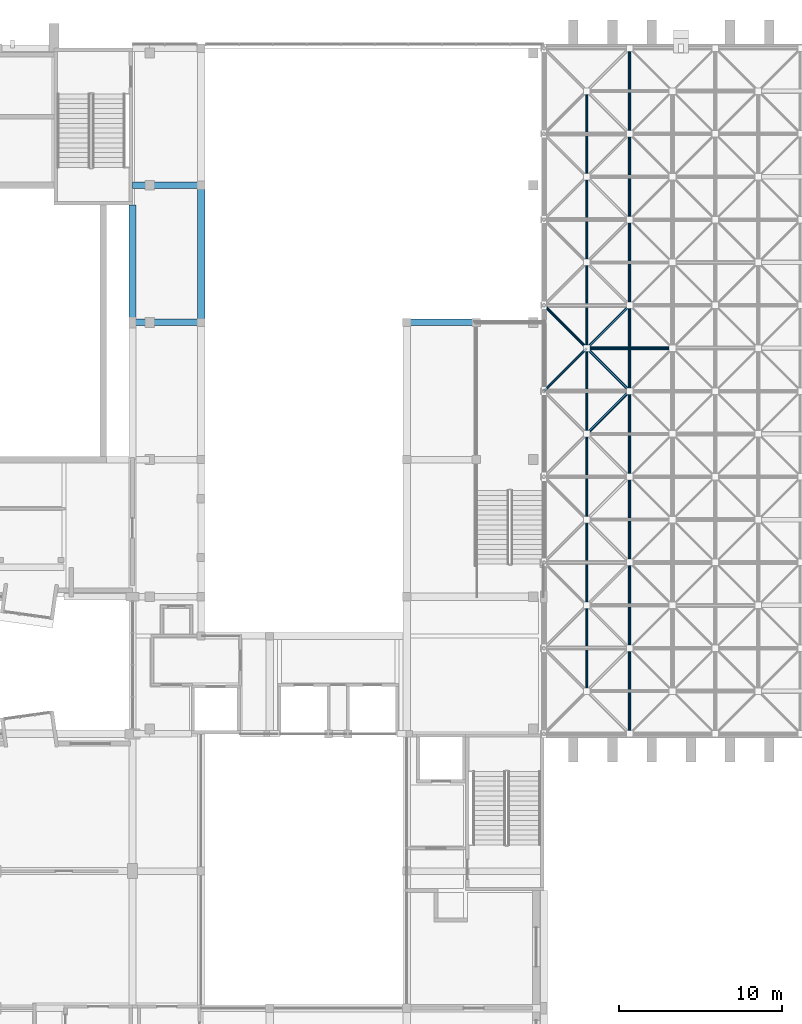
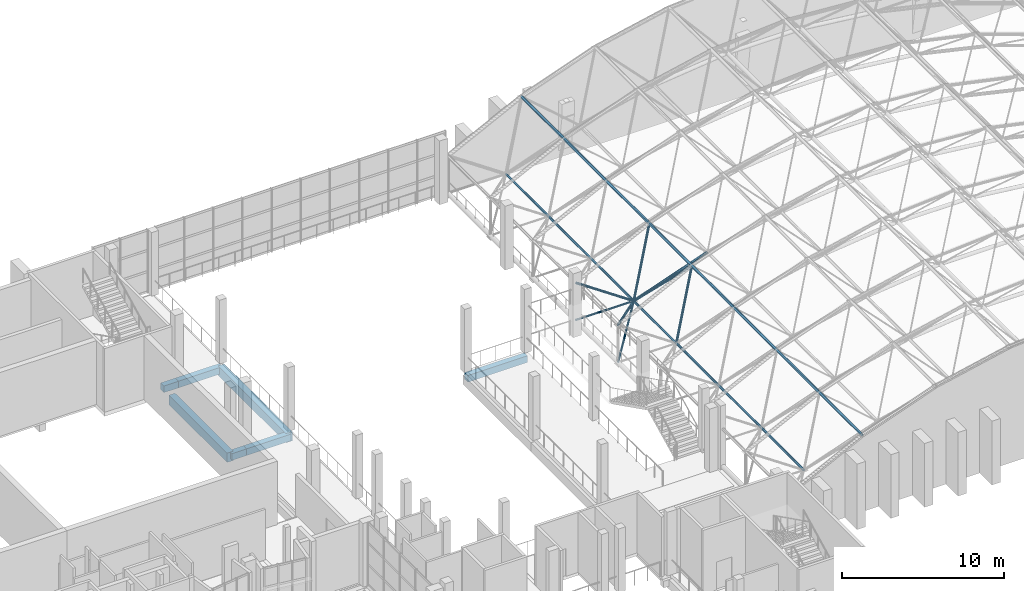
# One storey, part 13 of 100: 10 members, 7 beams.
"""IFC4 building model written with IfcOpenShell, lengths in metres."""

from ifc_helpers import new_model, si_unit, direction, frame, origin, origin_2d, place, context, subcontext, project, spatial, rectangle, hollow_circle, extrude, material, material_profile, profile_set, type_object, element, save


model = new_model("IFC4")

# Units and contexts
model_context = context("Model", 3, precision=1e-05, world=origin(), true_north=direction((0.0, 1.0)))
body_context = subcontext(model_context, "Body", "Model", "MODEL_VIEW")
ifc_project = project(units=[si_unit("LENGTHUNIT", "METRE"), si_unit("AREAUNIT", "SQUARE_METRE"), si_unit("VOLUMEUNIT", "CUBIC_METRE"), si_unit("PLANEANGLEUNIT", "RADIAN"), si_unit("MASSUNIT", "GRAM", prefix="KILO")], contexts=[model_context])

# Site, building, storey
site_placement = place(None, origin())
site = spatial("IfcSite", under=ifc_project, at=site_placement, CompositionType="ELEMENT")
building_placement = place(site_placement, origin())
building = spatial("IfcBuilding", under=site, at=building_placement, Name="Kiln Court Media Centre", CompositionType="ELEMENT")
storey_placement = place(building_placement, frame((0.0, 0.0, 15.0)))
storey = spatial("IfcBuildingStorey", under=building, at=storey_placement, Name="L03", CompositionType="ELEMENT", Elevation=15.0)

# Beams
ifc_material_1 = material(Name="Concrete C30/37", Category="concrete")
ifc_material_profile_1 = material_profile(ifc_material_1, rectangle(XDim=0.39990234375, YDim=0.5, at=origin_2d()), Name="RC 400x500")
ifc_profile_set_1 = profile_set([ifc_material_profile_1], Name="Concrete C30/37")
beam_type_1 = type_object("IfcBeamType", Name="Concrete C30/37 beam 400x500", PredefinedType="BEAM", material=ifc_profile_set_1)
beam_1_placement = place(storey_placement, frame((33.60009765625, 50.39990234375, -0.550048828125), z_axis=(1.0, 0.0, 0.0), x_axis=(0.0, 1.0, 0.0)))
element("IfcBeam", 1, at=beam_1_placement, inside=storey, type_object=beam_type_1, Name="L03-B-1083", PredefinedType="BEAM", context=body_context, shape_type="SweptSolid", body=[
    extrude(rectangle(XDim=0.39990234375, YDim=0.5, at=origin_2d()), origin(), (0.0, 0.0, 1.0), 1.0498046875),
])
beam_2_placement = place(storey_placement, frame((34.64990234375, 50.39990234375, -0.550048828125), z_axis=(1.0, 0.0, 0.0), x_axis=(0.0, 1.0, 0.0)))
element("IfcBeam", 2, at=beam_2_placement, inside=storey, type_object=beam_type_1, Name="L03-B-1084", PredefinedType="BEAM", context=body_context, shape_type="SweptSolid", body=[
    extrude(rectangle(XDim=0.39990234375, YDim=0.5, at=origin_2d()), origin(), (0.0, 0.0, 1.0), 3.151123046875),
])
beam_3_placement = place(storey_placement, frame((50.39990234375, 50.39990234375, -0.550048828125), z_axis=(1.0, 0.0, 0.0), x_axis=(0.0, 1.0, 0.0)))
element("IfcBeam", 3, at=beam_3_placement, inside=storey, type_object=beam_type_1, Name="L03-B-1085", PredefinedType="BEAM", context=body_context, shape_type="SweptSolid", body=[
    extrude(rectangle(XDim=0.39990234375, YDim=0.5, at=origin_2d()), origin(), (0.0, 0.0, 1.0), 4.2509765625),
])
beam_4_placement = place(storey_placement, frame((33.60009765625, 58.800048828125, -0.550048828125), z_axis=(1.0, 0.0, 0.0), x_axis=(0.0, 1.0, 0.0)))
element("IfcBeam", 4, at=beam_4_placement, inside=storey, type_object=beam_type_1, Name="L03-B-1086", PredefinedType="BEAM", context=body_context, shape_type="SweptSolid", body=[
    extrude(rectangle(XDim=0.39990234375, YDim=0.5, at=origin_2d()), origin(), (0.0, 0.0, 1.0), 1.0498046875),
])
beam_5_placement = place(storey_placement, frame((34.64990234375, 58.800048828125, -0.550048828125), z_axis=(1.0, 0.0, 0.0), x_axis=(0.0, 1.0, 0.0)))
element("IfcBeam", 5, at=beam_5_placement, inside=storey, type_object=beam_type_1, Name="L03-B-1087", PredefinedType="BEAM", context=body_context, shape_type="SweptSolid", body=[
    extrude(rectangle(XDim=0.39990234375, YDim=0.5, at=origin_2d()), origin(), (0.0, 0.0, 1.0), 3.151123046875),
])
ifc_material_2 = material(Name="Concrete C30/37", Category="concrete")
ifc_material_profile_2 = material_profile(ifc_material_2, rectangle(XDim=0.449951171875, YDim=0.699951171875, at=origin_2d()), Name="RC 450x700")
ifc_profile_set_2 = profile_set([ifc_material_profile_2], Name="Concrete C30/37")
beam_type_2 = type_object("IfcBeamType", Name="Concrete C30/37 beam 450x700", PredefinedType="BEAM", material=ifc_profile_set_2)
beam_6_placement = place(storey_placement, frame((33.60009765625, 50.39990234375, -0.64990234375), z_axis=(0.0, 1.0, 0.0), x_axis=(-1.0, 0.0, 0.0)))
element("IfcBeam", 6, at=beam_6_placement, inside=storey, type_object=beam_type_2, Name="L03-B-1068", PredefinedType="BEAM", context=body_context, shape_type="SweptSolid", body=[
    extrude(rectangle(XDim=0.449951171875, YDim=0.699951171875, at=origin_2d()), origin(), (0.0, 0.0, 1.0), 7.2001953125),
])
beam_7_placement = place(storey_placement, frame((37.800048828125, 58.800048828125, -0.64990234375), z_axis=(0.0, -1.0, 0.0), x_axis=(1.0, 0.0, 0.0)))
element("IfcBeam", 7, at=beam_7_placement, inside=storey, type_object=beam_type_2, Name="L03-B-1091", PredefinedType="BEAM", context=body_context, shape_type="SweptSolid", body=[
    extrude(rectangle(XDim=0.449951171875, YDim=0.699951171875, at=origin_2d()), origin(), (0.0, 0.0, 1.0), 8.400146484375),
])

# Members
ifc_material_3 = material(Name="Steel ASTM A500 Gr C", Category="steel")
ifc_material_profile_3 = material_profile(ifc_material_3, hollow_circle(Radius=0.06982421875, WallThickness=0.0048828125, at=origin_2d()), Name="CHS 139.7x5.0")
ifc_profile_set_3 = profile_set([ifc_material_profile_3], Name="Steel ASTM A500 Gr C")
member_type_1 = type_object("IfcMemberType", Name="Steel ASTM A500 Gr C CHS 139.7x5.0 space frame brace", PredefinedType="BRACE", material=ifc_profile_set_3)
for number, where, z_axis, x_axis, name in (
    (8, (58.800048828125, 46.199951171875, 0.18994140625), (0.614895163376, 0.614895163376, 0.493769051394), (-0.707106781187, 0.707106781187, 0.0), "V1 roof bearing tie first 5 space frame brace"),
    (9, (58.800048828125, 51.449951171875, 0.18994140625), (0.614895163376, -0.614895163376, 0.493769051394), (0.707106781187, 0.707106781187, 0.0), "V1 roof bearing tie first 6 space frame brace"),
):
    element("IfcMember", number, at=place(storey_placement, frame(where, z_axis=z_axis, x_axis=x_axis)), inside=storey, type_object=member_type_1, Name=name, PredefinedType="BRACE", context=body_context, shape_type="SweptSolid", body=[
        extrude(hollow_circle(Radius=0.06982421875, WallThickness=0.0048828125, at=origin_2d()), origin(), (0.0, 0.0, 1.0), 4.26904296875),
    ])
ifc_material_4 = material(Name="Steel ASTM A500 Gr C", Category="steel")
ifc_material_profile_4 = material_profile(ifc_material_4, hollow_circle(Radius=0.084228515625, WallThickness=0.00634765625, at=origin_2d()), Name="CHS 168.3x6.3")
ifc_profile_set_4 = profile_set([ifc_material_profile_4], Name="Steel ASTM A500 Gr C")
member_type_2 = type_object("IfcMemberType", Name="Steel ASTM A500 Gr C CHS 168.3x6.3 space frame brace", PredefinedType="BRACE", material=ifc_profile_set_4)
member_1_placement = place(storey_placement, frame((61.425048828125, 43.574951171875, 2.2978515625), z_axis=(0.526569761857, 0.526569761857, 0.667419337295), x_axis=(-0.707106781187, 0.707106781187, 0.0)))
element("IfcMember", 10, at=member_1_placement, inside=storey, type_object=member_type_2, Name="V1 roof diagonal 1-4 space frame brace", PredefinedType="BRACE", context=body_context, shape_type="SweptSolid", body=[
    extrude(hollow_circle(Radius=0.084228515625, WallThickness=0.00634765625, at=origin_2d()), origin(), (0.0, 0.0, 1.0), 4.985107421875),
])
member_2_placement = place(storey_placement, frame((61.425048828125, 48.824951171875, 2.2978515625), z_axis=(-0.694788256549, -0.694788256549, 0.185845519516), x_axis=(0.707106781187, -0.707106781187, 0.0)))
element("IfcMember", 11, at=member_2_placement, inside=storey, type_object=member_type_2, Name="V1 roof diagonal 1-5 space frame brace", PredefinedType="BRACE", context=body_context, shape_type="SweptSolid", body=[
    extrude(hollow_circle(Radius=0.084228515625, WallThickness=0.00634765625, at=origin_2d()), origin(), (0.0, 0.0, 1.0), 3.778076171875),
])
member_3_placement = place(storey_placement, frame((61.425048828125, 48.824951171875, 2.2978515625), z_axis=(0.526569761857, -0.526569761857, 0.667419337295), x_axis=(0.707106781187, 0.707106781187, 0.0)))
element("IfcMember", 12, at=member_3_placement, inside=storey, type_object=member_type_2, Name="V1 roof diagonal 1-5 space frame brace", PredefinedType="BRACE", context=body_context, shape_type="SweptSolid", body=[
    extrude(hollow_circle(Radius=0.084228515625, WallThickness=0.00634765625, at=origin_2d()), origin(), (0.0, 0.0, 1.0), 4.985107421875),
])
member_4_placement = place(storey_placement, frame((61.425048828125, 48.824951171875, 2.2978515625), z_axis=(-0.694788256549, 0.694788256549, 0.185845519516), x_axis=(-0.707106781187, -0.707106781187, 0.0)))
element("IfcMember", 13, at=member_4_placement, inside=storey, type_object=member_type_2, Name="V1 roof diagonal 1-5 space frame brace", PredefinedType="BRACE", context=body_context, shape_type="SweptSolid", body=[
    extrude(hollow_circle(Radius=0.084228515625, WallThickness=0.00634765625, at=origin_2d()), origin(), (0.0, 0.0, 1.0), 3.778076171875),
])
member_5_placement = place(storey_placement, frame((61.425048828125, 48.824951171875, 2.2978515625), z_axis=(0.526569761857, 0.526569761857, 0.667419337295), x_axis=(-0.707106781187, 0.707106781187, 0.0)))
element("IfcMember", 14, at=member_5_placement, inside=storey, type_object=member_type_2, Name="V1 roof diagonal 1-5 space frame brace", PredefinedType="BRACE", context=body_context, shape_type="SweptSolid", body=[
    extrude(hollow_circle(Radius=0.084228515625, WallThickness=0.00634765625, at=origin_2d()), origin(), (0.0, 0.0, 1.0), 4.985107421875),
])
ifc_material_5 = material(Name="Steel ASTM A500 Gr C", Category="steel")
ifc_material_profile_5 = material_profile(ifc_material_5, hollow_circle(Radius=0.084228515625, WallThickness=0.00634765625, at=origin_2d()), Name="CHS 168.3x6.3")
ifc_profile_set_5 = profile_set([ifc_material_profile_5], Name="Steel ASTM A500 Gr C")
member_type_3 = type_object("IfcMemberType", Name="Steel ASTM A500 Gr C CHS 168.3x6.3 space frame chord", PredefinedType="CHORD", material=ifc_profile_set_5)
member_6_placement = place(storey_placement, frame((61.425048828125, 27.824951171875, 2.2978515625), z_axis=(0.0, 1.0, 0.0), x_axis=(-1.0, 0.0, 0.0)))
element("IfcMember", 15, at=member_6_placement, inside=storey, type_object=member_type_3, Name="V1 roof bottom chord along line 1 space frame chord", PredefinedType="CHORD", context=body_context, shape_type="SweptSolid", body=[
    extrude(hollow_circle(Radius=0.084228515625, WallThickness=0.00634765625, at=origin_2d()), origin(), (0.0, 0.0, 1.0), 36.75),
])
ifc_material_6 = material(Name="Steel ASTM A500 Gr C", Category="steel")
ifc_material_profile_6 = material_profile(ifc_material_6, hollow_circle(Radius=0.096923828125, WallThickness=0.008056640625, at=origin_2d()), Name="CHS 193.7x8.0")
ifc_profile_set_6 = profile_set([ifc_material_profile_6], Name="Steel ASTM A500 Gr C")
member_type_4 = type_object("IfcMemberType", Name="Steel ASTM A500 Gr C CHS 193.7x8.0 space frame chord", PredefinedType="CHORD", material=ifc_profile_set_6)
member_7_placement = place(storey_placement, frame((64.050048828125, 25.199951171875, 5.625), z_axis=(0.0, 1.0, 0.0), x_axis=(-1.0, 0.0, 0.0)))
element("IfcMember", 16, at=member_7_placement, inside=storey, type_object=member_type_4, Name="V1 roof top chord along line 2 space frame chord", PredefinedType="CHORD", context=body_context, shape_type="SweptSolid", body=[
    extrude(hollow_circle(Radius=0.096923828125, WallThickness=0.008056640625, at=origin_2d()), origin(), (0.0, 0.0, 1.0), 42.0),
])
member_8_placement = place(storey_placement, frame((61.425048828125, 48.824951171875, 2.2978515625), z_axis=(0.943959597571, 0.0, 0.330061021863), x_axis=(0.0, 1.0, 0.0)))
element("IfcMember", 17, at=member_8_placement, inside=storey, type_object=member_type_4, Name="V1 roof bottom chord across line 5 space frame chord", PredefinedType="CHORD", context=body_context, shape_type="SweptSolid", body=[
    extrude(hollow_circle(Radius=0.096923828125, WallThickness=0.008056640625, at=origin_2d()), origin(), (0.0, 0.0, 1.0), 5.561767578125),
])

save(model, "model.ifc")
